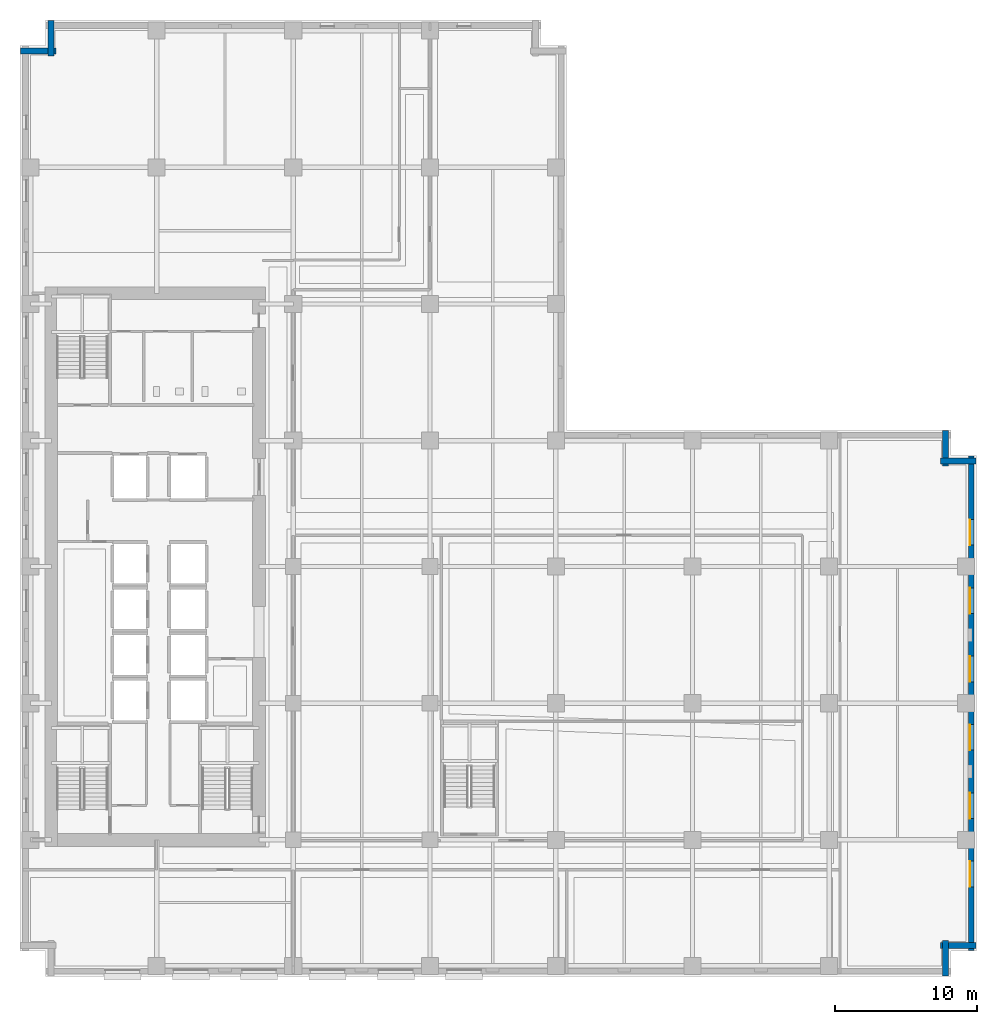
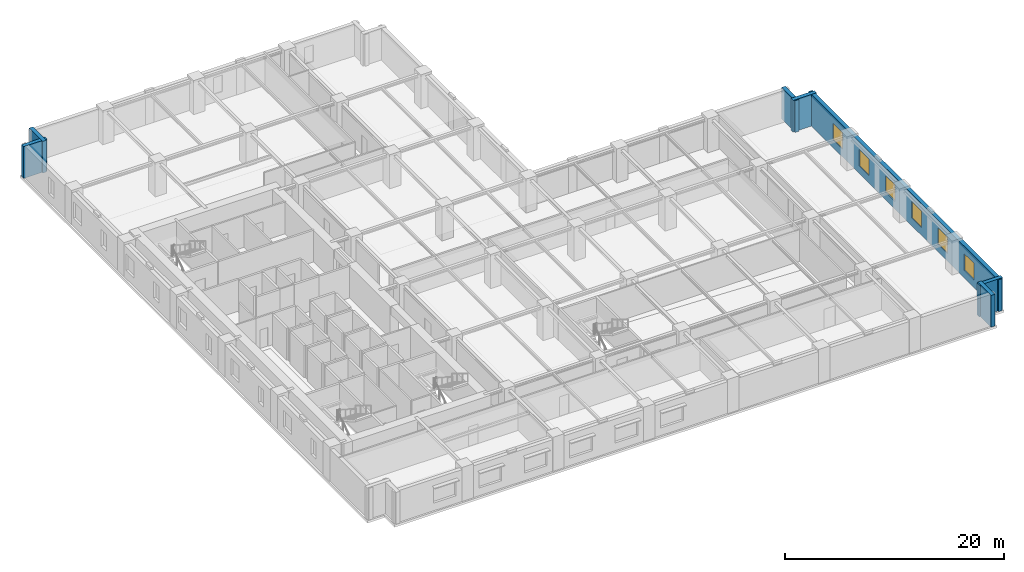
# One storey, part 8 of 14: 7 walls, 6 windows, 6 openings.
"""IFC4 building model written with IfcOpenShell, lengths in metres."""

from ifc_helpers import new_model, si_unit, direction, frame, frame_2d, origin, place, context, subcontext, project, spatial, rectangle, extrude, material, layer, layer_set, type_object, element, fill, save


model = new_model("IFC4")

# Units and contexts
model_context = context("Model", 3, precision=1e-05, world=origin(), true_north=direction((0.0, 1.0)))
body_context = subcontext(model_context, "Body", "Model", "MODEL_VIEW")
ifc_project = project(units=[si_unit("LENGTHUNIT", "METRE"), si_unit("AREAUNIT", "SQUARE_METRE"), si_unit("VOLUMEUNIT", "CUBIC_METRE"), si_unit("PLANEANGLEUNIT", "RADIAN"), si_unit("MASSUNIT", "GRAM", prefix="KILO")], contexts=[model_context])

# Site, building, storey
site_placement = place(None, origin())
site = spatial("IfcSite", under=ifc_project, at=site_placement, CompositionType="ELEMENT")
building_placement = place(site_placement, origin())
building = spatial("IfcBuilding", under=site, at=building_placement, Name="Norrvale University Quadrangle", CompositionType="ELEMENT")
storey_placement = place(building_placement, frame((0.0, 0.0, 50.800048828125)))
storey = spatial("IfcBuildingStorey", under=building, at=storey_placement, Name="L12", CompositionType="ELEMENT", Elevation=50.800048828125)

# Walls
ifc_material_1 = material(Name="Red Manganese Brick Masonry", Category="masonry")
ifc_layer = layer(ifc_material_1, 0.39990234375, Name="Red Manganese Brick Masonry")
ifc_layer_set = layer_set([ifc_layer], Name="Red Manganese Brick Masonry")
wall_type = type_object("IfcWallType", Name="Wall Red Brick 400", PredefinedType="SOLIDWALL", material=ifc_layer_set)
for number, where, z_axis, x_axis, name in (
    (1, (65.02001953125, 0.0400390625, 0.0), (0.0, 0.0, 1.0), (0.0, 1.0, 0.0), "Exterior Brick Facade Wall L12-02.1"),
    (2, (64.679931640625, 2.179931640625, 0.0), (0.0, 0.0, 1.0), (1.0, 0.0, 0.0), "Exterior Brick Facade Wall L12-03.1"),
):
    element("IfcWall", number, at=place(storey_placement, frame(where, z_axis=z_axis, x_axis=x_axis)), inside=storey, type_object=wall_type, Name=name, PredefinedType="SOLIDWALL", context=body_context, shape_type="SweptSolid", body=[
        extrude(rectangle(XDim=2.47998046875, YDim=0.39990234375, at=frame_2d((1.239990234375, 0.0))), origin(), (0.0, 0.0, 1.0), 3.5400390625),
    ])

# Wall, openings, windows
wall_1_placement = place(storey_placement, frame((66.820068359375, 1.840087890625, 0.0), z_axis=(0.0, 0.0, 1.0), x_axis=(0.0, 1.0, 0.0)))
wall_1 = element("IfcWall", 3, at=wall_1_placement, inside=storey, type_object=wall_type, Name="Exterior Brick Facade Wall L12-04.1", PredefinedType="SOLIDWALL", context=body_context, shape_type="SweptSolid", body=[
    extrude(rectangle(XDim=34.719970703125, YDim=0.39990234375, at=frame_2d((17.35986328125, 0.0))), origin(), (0.0, 0.0, 1.0), 3.5400390625),
])
opening_1_placement = place(wall_1_placement, frame((4.4599609375, 0.0, 0.85009765625)))
opening_1 = element("IfcOpeningElement", 4, at=opening_1_placement, cuts=wall_1, Name="Opening W01", PredefinedType="OPENING", context=body_context, shape_type="SweptSolid", body=[
    extrude(rectangle(XDim=1.800048828125, YDim=1.85009765625, at=frame_2d((0.89990234375, 0.925048828125))), frame((0.0, 0.2119140625, 0.0), z_axis=(0.0, -1.0, 0.0), x_axis=(1.0, 0.0, 0.0)), (0.0, 0.0, 1.0), 0.423828125),
])
opening_2_placement = place(wall_1_placement, frame((9.260009765625, 0.0, 0.85009765625)))
opening_2 = element("IfcOpeningElement", 5, at=opening_2_placement, cuts=wall_1, Name="Opening W01", PredefinedType="OPENING", context=body_context, shape_type="SweptSolid", body=[
    extrude(rectangle(XDim=1.800048828125, YDim=1.85009765625, at=frame_2d((0.89990234375, 0.925048828125))), frame((0.0, 0.2119140625, 0.0), z_axis=(0.0, -1.0, 0.0), x_axis=(1.0, 0.0, 0.0)), (0.0, 0.0, 1.0), 0.423828125),
])
opening_3_placement = place(wall_1_placement, frame((14.06005859375, 0.0, 0.85009765625)))
opening_3 = element("IfcOpeningElement", 6, at=opening_3_placement, cuts=wall_1, Name="Opening W01", PredefinedType="OPENING", context=body_context, shape_type="SweptSolid", body=[
    extrude(rectangle(XDim=1.800048828125, YDim=1.85009765625, at=frame_2d((0.89990234375, 0.925048828125))), frame((0.0, 0.2119140625, 0.0), z_axis=(0.0, -1.0, 0.0), x_axis=(1.0, 0.0, 0.0)), (0.0, 0.0, 1.0), 0.423828125),
])
opening_4_placement = place(wall_1_placement, frame((18.860107421875, 0.0, 0.85009765625)))
opening_4 = element("IfcOpeningElement", 7, at=opening_4_placement, cuts=wall_1, Name="Opening W01", PredefinedType="OPENING", context=body_context, shape_type="SweptSolid", body=[
    extrude(rectangle(XDim=1.800048828125, YDim=1.85009765625, at=frame_2d((0.89990234375, 0.925048828125))), frame((0.0, 0.2119140625, 0.0), z_axis=(0.0, -1.0, 0.0), x_axis=(1.0, 0.0, 0.0)), (0.0, 0.0, 1.0), 0.423828125),
])
opening_5_placement = place(wall_1_placement, frame((23.659912109375, 0.0, 0.85009765625)))
opening_5 = element("IfcOpeningElement", 8, at=opening_5_placement, cuts=wall_1, Name="Opening W01", PredefinedType="OPENING", context=body_context, shape_type="SweptSolid", body=[
    extrude(rectangle(XDim=1.800048828125, YDim=1.85009765625, at=frame_2d((0.89990234375, 0.925048828125))), frame((0.0, 0.2119140625, 0.0), z_axis=(0.0, -1.0, 0.0), x_axis=(1.0, 0.0, 0.0)), (0.0, 0.0, 1.0), 0.423828125),
])
opening_6_placement = place(wall_1_placement, frame((28.4599609375, 0.0, 0.85009765625)))
opening_6 = element("IfcOpeningElement", 9, at=opening_6_placement, cuts=wall_1, Name="Opening W01", PredefinedType="OPENING", context=body_context, shape_type="SweptSolid", body=[
    extrude(rectangle(XDim=1.800048828125, YDim=1.85009765625, at=frame_2d((0.89990234375, 0.925048828125))), frame((0.0, 0.2119140625, 0.0), z_axis=(0.0, -1.0, 0.0), x_axis=(1.0, 0.0, 0.0)), (0.0, 0.0, 1.0), 0.423828125),
])
ifc_material_2 = material(Name="Triple Low-E Argon Glazing", Category="glass")
window_type = type_object("IfcWindowType", Name="Window Academic 1800x2300", PartitioningType="DOUBLE_PANEL_VERTICAL", PredefinedType="WINDOW", material=ifc_material_2)
window_1_placement = place(opening_1_placement, origin())
window_1 = element("IfcWindow", 10, at=window_1_placement, inside=storey, type_object=window_type, Name="Window Academic 1800x2300 WIN-L12-E04-1-01", OverallHeight=1.85009765625, OverallWidth=1.800048828125, PartitioningType="DOUBLE_PANEL_VERTICAL", PredefinedType="WINDOW", context=body_context, shape_type="SweptSolid", body=[
    extrude(rectangle(XDim=1.800048828125, YDim=1.85009765625, at=frame_2d((0.89990234375, 0.925048828125))), frame((0.0, 0.110107421875, 0.0), z_axis=(0.0, -1.0, 0.0), x_axis=(1.0, 0.0, 0.0)), (0.0, 0.0, 1.0), 0.06005859375),
])
fill(opening_1, window_1)
window_2_placement = place(opening_2_placement, origin())
window_2 = element("IfcWindow", 11, at=window_2_placement, inside=storey, type_object=window_type, Name="Window Academic 1800x2300 WIN-L12-E04-1-02", OverallHeight=1.85009765625, OverallWidth=1.800048828125, PartitioningType="DOUBLE_PANEL_VERTICAL", PredefinedType="WINDOW", context=body_context, shape_type="SweptSolid", body=[
    extrude(rectangle(XDim=1.800048828125, YDim=1.85009765625, at=frame_2d((0.89990234375, 0.925048828125))), frame((0.0, 0.110107421875, 0.0), z_axis=(0.0, -1.0, 0.0), x_axis=(1.0, 0.0, 0.0)), (0.0, 0.0, 1.0), 0.06005859375),
])
fill(opening_2, window_2)
window_3_placement = place(opening_3_placement, origin())
window_3 = element("IfcWindow", 12, at=window_3_placement, inside=storey, type_object=window_type, Name="Window Academic 1800x2300 WIN-L12-E04-1-03", OverallHeight=1.85009765625, OverallWidth=1.800048828125, PartitioningType="DOUBLE_PANEL_VERTICAL", PredefinedType="WINDOW", context=body_context, shape_type="SweptSolid", body=[
    extrude(rectangle(XDim=1.800048828125, YDim=1.85009765625, at=frame_2d((0.89990234375, 0.925048828125))), frame((0.0, 0.110107421875, 0.0), z_axis=(0.0, -1.0, 0.0), x_axis=(1.0, 0.0, 0.0)), (0.0, 0.0, 1.0), 0.06005859375),
])
fill(opening_3, window_3)
window_4_placement = place(opening_4_placement, origin())
window_4 = element("IfcWindow", 13, at=window_4_placement, inside=storey, type_object=window_type, Name="Window Academic 1800x2300 WIN-L12-E04-1-04", OverallHeight=1.85009765625, OverallWidth=1.800048828125, PartitioningType="DOUBLE_PANEL_VERTICAL", PredefinedType="WINDOW", context=body_context, shape_type="SweptSolid", body=[
    extrude(rectangle(XDim=1.800048828125, YDim=1.85009765625, at=frame_2d((0.89990234375, 0.925048828125))), frame((0.0, 0.110107421875, 0.0), z_axis=(0.0, -1.0, 0.0), x_axis=(1.0, 0.0, 0.0)), (0.0, 0.0, 1.0), 0.06005859375),
])
fill(opening_4, window_4)
window_5_placement = place(opening_5_placement, origin())
window_5 = element("IfcWindow", 14, at=window_5_placement, inside=storey, type_object=window_type, Name="Window Academic 1800x2300 WIN-L12-E04-1-05", OverallHeight=1.85009765625, OverallWidth=1.800048828125, PartitioningType="DOUBLE_PANEL_VERTICAL", PredefinedType="WINDOW", context=body_context, shape_type="SweptSolid", body=[
    extrude(rectangle(XDim=1.800048828125, YDim=1.85009765625, at=frame_2d((0.89990234375, 0.925048828125))), frame((0.0, 0.110107421875, 0.0), z_axis=(0.0, -1.0, 0.0), x_axis=(1.0, 0.0, 0.0)), (0.0, 0.0, 1.0), 0.06005859375),
])
fill(opening_5, window_5)
window_6_placement = place(opening_6_placement, origin())
window_6 = element("IfcWindow", 15, at=window_6_placement, inside=storey, type_object=window_type, Name="Window Academic 1800x2300 WIN-L12-E04-1-06", OverallHeight=1.85009765625, OverallWidth=1.800048828125, PartitioningType="DOUBLE_PANEL_VERTICAL", PredefinedType="WINDOW", context=body_context, shape_type="SweptSolid", body=[
    extrude(rectangle(XDim=1.800048828125, YDim=1.85009765625, at=frame_2d((0.89990234375, 0.925048828125))), frame((0.0, 0.110107421875, 0.0), z_axis=(0.0, -1.0, 0.0), x_axis=(1.0, 0.0, 0.0)), (0.0, 0.0, 1.0), 0.06005859375),
])
fill(opening_6, window_6)

# Walls
wall_2_placement = place(storey_placement, frame((67.159912109375, 36.219970703125, 0.0), z_axis=(0.0, 0.0, 1.0), x_axis=(-1.0, 0.0, 0.0)))
element("IfcWall", 16, at=wall_2_placement, inside=storey, type_object=wall_type, Name="Exterior Brick Facade Wall L12-05.1", PredefinedType="SOLIDWALL", context=body_context, shape_type="SweptSolid", body=[
    extrude(rectangle(XDim=2.47998046875, YDim=0.39990234375, at=frame_2d((1.239990234375, 0.0))), origin(), (0.0, 0.0, 1.0), 3.5400390625),
])
wall_3_placement = place(storey_placement, frame((65.02001953125, 35.8798828125, 0.0), z_axis=(0.0, 0.0, 1.0), x_axis=(0.0, 1.0, 0.0)))
element("IfcWall", 17, at=wall_3_placement, inside=storey, type_object=wall_type, Name="Exterior Brick Facade Wall L12-06.1", PredefinedType="SOLIDWALL", context=body_context, shape_type="SweptSolid", body=[
    extrude(rectangle(XDim=2.480224609375, YDim=0.39990234375, at=frame_2d((1.240234375, 0.0))), origin(), (0.0, 0.0, 1.0), 3.5400390625),
])
for number, where, z_axis, x_axis, name in (
    (18, (2.179931640625, 67.159912109375, 0.0), (0.0, 0.0, 1.0), (0.0, -1.0, 0.0), "Exterior Brick Facade Wall L12-12.1"),
    (19, (2.52001953125, 65.02001953125, 0.0), (0.0, 0.0, 1.0), (-1.0, 0.0, 0.0), "Exterior Brick Facade Wall L12-13.1"),
):
    element("IfcWall", number, at=place(storey_placement, frame(where, z_axis=z_axis, x_axis=x_axis)), inside=storey, type_object=wall_type, Name=name, PredefinedType="SOLIDWALL", context=body_context, shape_type="SweptSolid", body=[
        extrude(rectangle(XDim=2.47998046875, YDim=0.39990234375, at=frame_2d((1.239990234375, 0.0))), origin(), (0.0, 0.0, 1.0), 3.5400390625),
    ])

save(model, "model.ifc")
